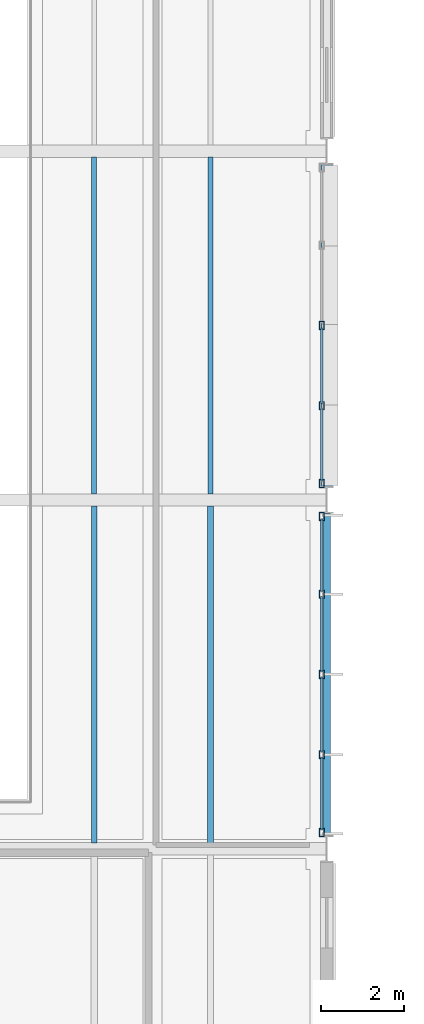
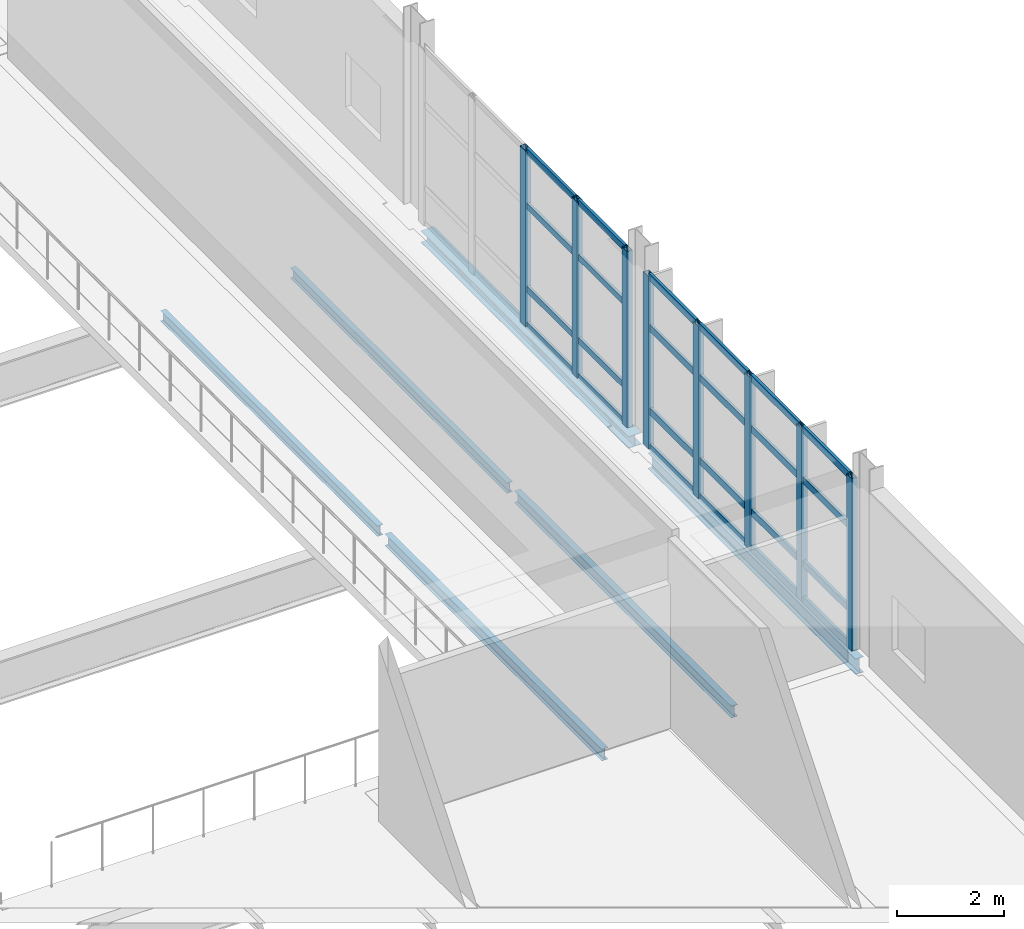
# One storey, part 35 of 129: 32 members, 6 beams, 2 elements without a shape of their own.
"""IFC4 building model written with IfcOpenShell, lengths in metres."""

from ifc_helpers import new_model, si_unit, direction, frame, origin, origin_2d, place, context, subcontext, project, spatial, hollow_rectangle, i_section, extrude, material, material_profile, profile_set, type_object, element, aggregate, save


model = new_model("IFC4")

# Units and contexts
model_context = context("Model", 3, precision=1e-05, world=origin(), true_north=direction((0.0, 1.0)))
body_context = subcontext(model_context, "Body", "Model", "MODEL_VIEW")
ifc_project = project(units=[si_unit("LENGTHUNIT", "METRE"), si_unit("AREAUNIT", "SQUARE_METRE"), si_unit("VOLUMEUNIT", "CUBIC_METRE"), si_unit("PLANEANGLEUNIT", "RADIAN"), si_unit("MASSUNIT", "GRAM", prefix="KILO")], contexts=[model_context])

# Site, building, storey
site_placement = place(None, origin())
site = spatial("IfcSite", under=ifc_project, at=site_placement, CompositionType="ELEMENT")
building_placement = place(site_placement, origin())
building = spatial("IfcBuilding", under=site, at=building_placement, Name="Mersafa Astral City Hall", CompositionType="ELEMENT")
storey_placement = place(building_placement, frame((0.0, 0.0, 5.39990234375)))
storey = spatial("IfcBuildingStorey", under=building, at=storey_placement, Name="L01", CompositionType="ELEMENT", Elevation=5.39990234375)

# Curtain wall, members
ifc_material_1 = material(Name="Anodised bronze aluminium framing", Category="aluminium")
curtain_wall_type_1 = type_object("IfcCurtainWallType", Name="ENV-CW-1", PredefinedType="USERDEFINED", material=ifc_material_1)
curtain_wall_1_placement = place(storey_placement, origin())
curtain_wall_1 = element("IfcCurtainWall", 1, at=curtain_wall_1_placement, inside=storey, type_object=curtain_wall_type_1, Name="L01 Unitised solar curtain wall 54", ObjectType="UNITISED CURTAIN WALL", PredefinedType="USERDEFINED")
ifc_material_profile_1 = material_profile(ifc_material_1, hollow_rectangle(XDim=0.1201171875, YDim=0.199951171875, WallThickness=0.008056640625, at=origin_2d()), Name="RHS 120x200x8")
ifc_profile_set_1 = profile_set([ifc_material_profile_1], Name="Anodised bronze aluminium framing")
member_type_1 = type_object("IfcMemberType", Name="ENV-CW-MUL-2", PredefinedType="MULLION", material=ifc_profile_set_1)
member_1_placement = place(storey_placement, frame((117.47998046875, 50.797119140625, -0.001953125), z_axis=(0.0, 0.0, 1.0), x_axis=(-1.0, 0.0, 0.0)))
member_1 = element("IfcMember", 2, at=member_1_placement, type_object=member_type_1, Name="CW-1 mullion 1", PredefinedType="MULLION", context=body_context, shape_type="SweptSolid", body=[
    extrude(hollow_rectangle(XDim=0.1201171875, YDim=0.199951171875, WallThickness=0.008056640625, at=origin_2d()), origin(), (0.0, 0.0, 1.0), 3.93896484375),
])
member_2_placement = place(storey_placement, frame((117.47998046875, 52.66845703125, -0.001953125), z_axis=(0.0, 0.0, 1.0), x_axis=(-1.0, 0.0, 0.0)))
member_2 = element("IfcMember", 3, at=member_2_placement, type_object=member_type_1, Name="CW-1 mullion 2", PredefinedType="MULLION", context=body_context, shape_type="SweptSolid", body=[
    extrude(hollow_rectangle(XDim=0.1201171875, YDim=0.199951171875, WallThickness=0.008056640625, at=origin_2d()), origin(), (0.0, 0.0, 1.0), 3.93896484375),
])
member_3_placement = place(storey_placement, frame((117.47998046875, 54.60009765625, -0.001953125), z_axis=(0.0, 0.0, 1.0), x_axis=(-1.0, 0.0, 0.0)))
member_3 = element("IfcMember", 4, at=member_3_placement, type_object=member_type_1, Name="CW-1 mullion 3", PredefinedType="MULLION", context=body_context, shape_type="SweptSolid", body=[
    extrude(hollow_rectangle(XDim=0.1201171875, YDim=0.199951171875, WallThickness=0.008056640625, at=origin_2d()), origin(), (0.0, 0.0, 1.0), 3.93896484375),
])
member_4_placement = place(storey_placement, frame((117.47998046875, 56.531494140625, -0.001953125), z_axis=(0.0, 0.0, 1.0), x_axis=(-1.0, 0.0, 0.0)))
member_4 = element("IfcMember", 5, at=member_4_placement, type_object=member_type_1, Name="CW-1 mullion 4", PredefinedType="MULLION", context=body_context, shape_type="SweptSolid", body=[
    extrude(hollow_rectangle(XDim=0.1201171875, YDim=0.199951171875, WallThickness=0.008056640625, at=origin_2d()), origin(), (0.0, 0.0, 1.0), 3.93896484375),
])
member_5_placement = place(storey_placement, frame((117.47998046875, 58.403076171875, -0.001953125), z_axis=(0.0, 0.0, 1.0), x_axis=(-1.0, 0.0, 0.0)))
member_5 = element("IfcMember", 6, at=member_5_placement, type_object=member_type_1, Name="CW-1 mullion 5", PredefinedType="MULLION", context=body_context, shape_type="SweptSolid", body=[
    extrude(hollow_rectangle(XDim=0.1201171875, YDim=0.199951171875, WallThickness=0.008056640625, at=origin_2d()), origin(), (0.0, 0.0, 1.0), 3.93896484375),
])

curtain_wall_type_2 = type_object("IfcCurtainWallType", Name="ENV-CW-2", PredefinedType="USERDEFINED", material=ifc_material_1)
curtain_wall_2_placement = place(storey_placement, origin())
curtain_wall_2 = element("IfcCurtainWall", 7, at=curtain_wall_2_placement, inside=storey, type_object=curtain_wall_type_2, Name="L01 Unitised solar curtain wall 55", ObjectType="UNITISED CURTAIN WALL", PredefinedType="USERDEFINED")
member_6_placement = place(storey_placement, frame((117.47998046875, 59.197021484375, -0.001953125), z_axis=(0.0, 0.0, 1.0), x_axis=(-1.0, 0.0, 0.0)))
member_6 = element("IfcMember", 8, at=member_6_placement, type_object=member_type_1, Name="CW-2 mullion 1", PredefinedType="MULLION", context=body_context, shape_type="SweptSolid", body=[
    extrude(hollow_rectangle(XDim=0.1201171875, YDim=0.199951171875, WallThickness=0.008056640625, at=origin_2d()), origin(), (0.0, 0.0, 1.0), 4.029052734375),
])
member_7_placement = place(storey_placement, frame((117.47998046875, 61.068603515625, -0.001953125), z_axis=(0.0, 0.0, 1.0), x_axis=(-1.0, 0.0, 0.0)))
member_7 = element("IfcMember", 9, at=member_7_placement, type_object=member_type_1, Name="CW-2 mullion 2", PredefinedType="MULLION", context=body_context, shape_type="SweptSolid", body=[
    extrude(hollow_rectangle(XDim=0.1201171875, YDim=0.199951171875, WallThickness=0.008056640625, at=origin_2d()), origin(), (0.0, 0.0, 1.0), 4.029052734375),
])
member_8_placement = place(storey_placement, frame((117.47998046875, 63.0, -0.001953125), z_axis=(0.0, 0.0, 1.0), x_axis=(-1.0, 0.0, 0.0)))
member_8 = element("IfcMember", 10, at=member_8_placement, type_object=member_type_1, Name="CW-2 mullion 3", PredefinedType="MULLION", context=body_context, shape_type="SweptSolid", body=[
    extrude(hollow_rectangle(XDim=0.1201171875, YDim=0.199951171875, WallThickness=0.008056640625, at=origin_2d()), origin(), (0.0, 0.0, 1.0), 4.029052734375),
])
ifc_material_profile_2 = material_profile(ifc_material_1, hollow_rectangle(XDim=0.06005859375, YDim=0.139892578125, WallThickness=0.00390625, at=origin_2d()), Name="RHS 60x140x4")
ifc_profile_set_2 = profile_set([ifc_material_profile_2], Name="Anodised bronze aluminium framing")
member_type_2 = type_object("IfcMemberType", Name="ENV-CW-TRN-1", PredefinedType="USERDEFINED", material=ifc_profile_set_2)
member_9_placement = place(storey_placement, frame((117.47998046875, 59.257080078125, 0.028076171875), z_axis=(0.0, 1.0, 0.0), x_axis=(-1.0, 0.0, 0.0)))
member_9 = element("IfcMember", 11, at=member_9_placement, type_object=member_type_2, Name="CW-2 transom 1.1", ObjectType="TRANSOM", PredefinedType="USERDEFINED", context=body_context, shape_type="SweptSolid", body=[
    extrude(hollow_rectangle(XDim=0.06005859375, YDim=0.139892578125, WallThickness=0.00390625, at=origin_2d()), origin(), (0.0, 0.0, 1.0), 1.75146484375),
])
member_10_placement = place(storey_placement, frame((117.47998046875, 59.257080078125, 0.85009765625), z_axis=(0.0, 1.0, 0.0), x_axis=(-1.0, 0.0, 0.0)))
member_10 = element("IfcMember", 12, at=member_10_placement, type_object=member_type_2, Name="CW-2 transom 1.2", ObjectType="TRANSOM", PredefinedType="USERDEFINED", context=body_context, shape_type="SweptSolid", body=[
    extrude(hollow_rectangle(XDim=0.06005859375, YDim=0.139892578125, WallThickness=0.00390625, at=origin_2d()), origin(), (0.0, 0.0, 1.0), 1.75146484375),
])
member_11_placement = place(storey_placement, frame((117.47998046875, 59.257080078125, 2.75), z_axis=(0.0, 1.0, 0.0), x_axis=(-1.0, 0.0, 0.0)))
member_11 = element("IfcMember", 13, at=member_11_placement, type_object=member_type_2, Name="CW-2 transom 1.3", ObjectType="TRANSOM", PredefinedType="USERDEFINED", context=body_context, shape_type="SweptSolid", body=[
    extrude(hollow_rectangle(XDim=0.06005859375, YDim=0.139892578125, WallThickness=0.00390625, at=origin_2d()), origin(), (0.0, 0.0, 1.0), 1.75146484375),
])
member_12_placement = place(storey_placement, frame((117.47998046875, 59.257080078125, 3.9970703125), z_axis=(0.0, 1.0, 0.0), x_axis=(-1.0, 0.0, 0.0)))
member_12 = element("IfcMember", 14, at=member_12_placement, type_object=member_type_2, Name="CW-2 transom 1.4", ObjectType="TRANSOM", PredefinedType="USERDEFINED", context=body_context, shape_type="SweptSolid", body=[
    extrude(hollow_rectangle(XDim=0.06005859375, YDim=0.139892578125, WallThickness=0.00390625, at=origin_2d()), origin(), (0.0, 0.0, 1.0), 1.75146484375),
])
member_13_placement = place(storey_placement, frame((117.47998046875, 61.12841796875, 0.028076171875), z_axis=(0.0, 1.0, 0.0), x_axis=(-1.0, 0.0, 0.0)))
member_13 = element("IfcMember", 15, at=member_13_placement, type_object=member_type_2, Name="CW-2 transom 2.1", ObjectType="TRANSOM", PredefinedType="USERDEFINED", context=body_context, shape_type="SweptSolid", body=[
    extrude(hollow_rectangle(XDim=0.06005859375, YDim=0.139892578125, WallThickness=0.00390625, at=origin_2d()), origin(), (0.0, 0.0, 1.0), 1.8115234375),
])
member_14_placement = place(storey_placement, frame((117.47998046875, 61.12841796875, 0.85009765625), z_axis=(0.0, 1.0, 0.0), x_axis=(-1.0, 0.0, 0.0)))
member_14 = element("IfcMember", 16, at=member_14_placement, type_object=member_type_2, Name="CW-2 transom 2.2", ObjectType="TRANSOM", PredefinedType="USERDEFINED", context=body_context, shape_type="SweptSolid", body=[
    extrude(hollow_rectangle(XDim=0.06005859375, YDim=0.139892578125, WallThickness=0.00390625, at=origin_2d()), origin(), (0.0, 0.0, 1.0), 1.8115234375),
])
member_15_placement = place(storey_placement, frame((117.47998046875, 61.12841796875, 2.75), z_axis=(0.0, 1.0, 0.0), x_axis=(-1.0, 0.0, 0.0)))
member_15 = element("IfcMember", 17, at=member_15_placement, type_object=member_type_2, Name="CW-2 transom 2.3", ObjectType="TRANSOM", PredefinedType="USERDEFINED", context=body_context, shape_type="SweptSolid", body=[
    extrude(hollow_rectangle(XDim=0.06005859375, YDim=0.139892578125, WallThickness=0.00390625, at=origin_2d()), origin(), (0.0, 0.0, 1.0), 1.8115234375),
])
member_16_placement = place(storey_placement, frame((117.47998046875, 61.12841796875, 3.9970703125), z_axis=(0.0, 1.0, 0.0), x_axis=(-1.0, 0.0, 0.0)))
member_16 = element("IfcMember", 18, at=member_16_placement, type_object=member_type_2, Name="CW-2 transom 2.4", ObjectType="TRANSOM", PredefinedType="USERDEFINED", context=body_context, shape_type="SweptSolid", body=[
    extrude(hollow_rectangle(XDim=0.06005859375, YDim=0.139892578125, WallThickness=0.00390625, at=origin_2d()), origin(), (0.0, 0.0, 1.0), 1.8115234375),
])
aggregate(curtain_wall_2, [member_6, member_7, member_8, member_9, member_10, member_11, member_12, member_13, member_14, member_15, member_16])

# Member
ifc_material_profile_3 = material_profile(ifc_material_1, hollow_rectangle(XDim=0.06005859375, YDim=0.159912109375, WallThickness=0.00390625, at=origin_2d()), Name="RHS 60x160x4")
ifc_profile_set_3 = profile_set([ifc_material_profile_3], Name="Anodised bronze aluminium framing")
member_type_3 = type_object("IfcMemberType", Name="ENV-CW-TRN-2", PredefinedType="USERDEFINED", material=ifc_profile_set_3)
member_17_placement = place(storey_placement, frame((117.47998046875, 50.85693359375, 0.028076171875), z_axis=(0.0, 1.0, 0.0), x_axis=(-1.0, 0.0, 0.0)))
member_17 = element("IfcMember", 19, at=member_17_placement, type_object=member_type_3, Name="CW-1 transom 1.1", ObjectType="TRANSOM", PredefinedType="USERDEFINED", context=body_context, shape_type="SweptSolid", body=[
    extrude(hollow_rectangle(XDim=0.06005859375, YDim=0.159912109375, WallThickness=0.00390625, at=origin_2d()), origin(), (0.0, 0.0, 1.0), 1.75146484375),
])

member_18_placement = place(storey_placement, frame((117.47998046875, 50.85693359375, 0.85009765625), z_axis=(0.0, 1.0, 0.0), x_axis=(-1.0, 0.0, 0.0)))
member_18 = element("IfcMember", 20, at=member_18_placement, type_object=member_type_3, Name="CW-1 transom 1.2", ObjectType="TRANSOM", PredefinedType="USERDEFINED", context=body_context, shape_type="SweptSolid", body=[
    extrude(hollow_rectangle(XDim=0.06005859375, YDim=0.159912109375, WallThickness=0.00390625, at=origin_2d()), origin(), (0.0, 0.0, 1.0), 1.75146484375),
])

member_19_placement = place(storey_placement, frame((117.47998046875, 50.85693359375, 2.75), z_axis=(0.0, 1.0, 0.0), x_axis=(-1.0, 0.0, 0.0)))
member_19 = element("IfcMember", 21, at=member_19_placement, type_object=member_type_3, Name="CW-1 transom 1.3", ObjectType="TRANSOM", PredefinedType="USERDEFINED", context=body_context, shape_type="SweptSolid", body=[
    extrude(hollow_rectangle(XDim=0.06005859375, YDim=0.159912109375, WallThickness=0.00390625, at=origin_2d()), origin(), (0.0, 0.0, 1.0), 1.75146484375),
])

member_20_placement = place(storey_placement, frame((117.47998046875, 50.85693359375, 3.906982421875), z_axis=(0.0, 1.0, 0.0), x_axis=(-1.0, 0.0, 0.0)))
member_20 = element("IfcMember", 22, at=member_20_placement, type_object=member_type_3, Name="CW-1 transom 1.4", ObjectType="TRANSOM", PredefinedType="USERDEFINED", context=body_context, shape_type="SweptSolid", body=[
    extrude(hollow_rectangle(XDim=0.06005859375, YDim=0.159912109375, WallThickness=0.00390625, at=origin_2d()), origin(), (0.0, 0.0, 1.0), 1.75146484375),
])

member_21_placement = place(storey_placement, frame((117.47998046875, 52.728515625, 0.028076171875), z_axis=(0.0, 1.0, 0.0), x_axis=(-1.0, 0.0, 0.0)))
member_21 = element("IfcMember", 23, at=member_21_placement, type_object=member_type_3, Name="CW-1 transom 2.1", ObjectType="TRANSOM", PredefinedType="USERDEFINED", context=body_context, shape_type="SweptSolid", body=[
    extrude(hollow_rectangle(XDim=0.06005859375, YDim=0.159912109375, WallThickness=0.00390625, at=origin_2d()), origin(), (0.0, 0.0, 1.0), 1.8115234375),
])

member_22_placement = place(storey_placement, frame((117.47998046875, 52.728515625, 0.85009765625), z_axis=(0.0, 1.0, 0.0), x_axis=(-1.0, 0.0, 0.0)))
member_22 = element("IfcMember", 24, at=member_22_placement, type_object=member_type_3, Name="CW-1 transom 2.2", ObjectType="TRANSOM", PredefinedType="USERDEFINED", context=body_context, shape_type="SweptSolid", body=[
    extrude(hollow_rectangle(XDim=0.06005859375, YDim=0.159912109375, WallThickness=0.00390625, at=origin_2d()), origin(), (0.0, 0.0, 1.0), 1.8115234375),
])

member_23_placement = place(storey_placement, frame((117.47998046875, 52.728515625, 2.75), z_axis=(0.0, 1.0, 0.0), x_axis=(-1.0, 0.0, 0.0)))
member_23 = element("IfcMember", 25, at=member_23_placement, type_object=member_type_3, Name="CW-1 transom 2.3", ObjectType="TRANSOM", PredefinedType="USERDEFINED", context=body_context, shape_type="SweptSolid", body=[
    extrude(hollow_rectangle(XDim=0.06005859375, YDim=0.159912109375, WallThickness=0.00390625, at=origin_2d()), origin(), (0.0, 0.0, 1.0), 1.8115234375),
])

member_24_placement = place(storey_placement, frame((117.47998046875, 52.728515625, 3.906982421875), z_axis=(0.0, 1.0, 0.0), x_axis=(-1.0, 0.0, 0.0)))
member_24 = element("IfcMember", 26, at=member_24_placement, type_object=member_type_3, Name="CW-1 transom 2.4", ObjectType="TRANSOM", PredefinedType="USERDEFINED", context=body_context, shape_type="SweptSolid", body=[
    extrude(hollow_rectangle(XDim=0.06005859375, YDim=0.159912109375, WallThickness=0.00390625, at=origin_2d()), origin(), (0.0, 0.0, 1.0), 1.8115234375),
])

member_25_placement = place(storey_placement, frame((117.47998046875, 54.659912109375, 0.028076171875), z_axis=(0.0, 1.0, 0.0), x_axis=(-1.0, 0.0, 0.0)))
member_25 = element("IfcMember", 27, at=member_25_placement, type_object=member_type_3, Name="CW-1 transom 3.1", ObjectType="TRANSOM", PredefinedType="USERDEFINED", context=body_context, shape_type="SweptSolid", body=[
    extrude(hollow_rectangle(XDim=0.06005859375, YDim=0.159912109375, WallThickness=0.00390625, at=origin_2d()), origin(), (0.0, 0.0, 1.0), 1.8115234375),
])

member_26_placement = place(storey_placement, frame((117.47998046875, 54.659912109375, 0.85009765625), z_axis=(0.0, 1.0, 0.0), x_axis=(-1.0, 0.0, 0.0)))
member_26 = element("IfcMember", 28, at=member_26_placement, type_object=member_type_3, Name="CW-1 transom 3.2", ObjectType="TRANSOM", PredefinedType="USERDEFINED", context=body_context, shape_type="SweptSolid", body=[
    extrude(hollow_rectangle(XDim=0.06005859375, YDim=0.159912109375, WallThickness=0.00390625, at=origin_2d()), origin(), (0.0, 0.0, 1.0), 1.8115234375),
])

member_27_placement = place(storey_placement, frame((117.47998046875, 54.659912109375, 2.75), z_axis=(0.0, 1.0, 0.0), x_axis=(-1.0, 0.0, 0.0)))
member_27 = element("IfcMember", 29, at=member_27_placement, type_object=member_type_3, Name="CW-1 transom 3.3", ObjectType="TRANSOM", PredefinedType="USERDEFINED", context=body_context, shape_type="SweptSolid", body=[
    extrude(hollow_rectangle(XDim=0.06005859375, YDim=0.159912109375, WallThickness=0.00390625, at=origin_2d()), origin(), (0.0, 0.0, 1.0), 1.8115234375),
])

member_28_placement = place(storey_placement, frame((117.47998046875, 54.659912109375, 3.906982421875), z_axis=(0.0, 1.0, 0.0), x_axis=(-1.0, 0.0, 0.0)))
member_28 = element("IfcMember", 30, at=member_28_placement, type_object=member_type_3, Name="CW-1 transom 3.4", ObjectType="TRANSOM", PredefinedType="USERDEFINED", context=body_context, shape_type="SweptSolid", body=[
    extrude(hollow_rectangle(XDim=0.06005859375, YDim=0.159912109375, WallThickness=0.00390625, at=origin_2d()), origin(), (0.0, 0.0, 1.0), 1.8115234375),
])

member_29_placement = place(storey_placement, frame((117.47998046875, 56.591552734375, 0.028076171875), z_axis=(0.0, 1.0, 0.0), x_axis=(-1.0, 0.0, 0.0)))
member_29 = element("IfcMember", 31, at=member_29_placement, type_object=member_type_3, Name="CW-1 transom 4.1", ObjectType="TRANSOM", PredefinedType="USERDEFINED", context=body_context, shape_type="SweptSolid", body=[
    extrude(hollow_rectangle(XDim=0.06005859375, YDim=0.159912109375, WallThickness=0.00390625, at=origin_2d()), origin(), (0.0, 0.0, 1.0), 1.75146484375),
])

member_30_placement = place(storey_placement, frame((117.47998046875, 56.591552734375, 0.85009765625), z_axis=(0.0, 1.0, 0.0), x_axis=(-1.0, 0.0, 0.0)))
member_30 = element("IfcMember", 32, at=member_30_placement, type_object=member_type_3, Name="CW-1 transom 4.2", ObjectType="TRANSOM", PredefinedType="USERDEFINED", context=body_context, shape_type="SweptSolid", body=[
    extrude(hollow_rectangle(XDim=0.06005859375, YDim=0.159912109375, WallThickness=0.00390625, at=origin_2d()), origin(), (0.0, 0.0, 1.0), 1.75146484375),
])

member_31_placement = place(storey_placement, frame((117.47998046875, 56.591552734375, 2.75), z_axis=(0.0, 1.0, 0.0), x_axis=(-1.0, 0.0, 0.0)))
member_31 = element("IfcMember", 33, at=member_31_placement, type_object=member_type_3, Name="CW-1 transom 4.3", ObjectType="TRANSOM", PredefinedType="USERDEFINED", context=body_context, shape_type="SweptSolid", body=[
    extrude(hollow_rectangle(XDim=0.06005859375, YDim=0.159912109375, WallThickness=0.00390625, at=origin_2d()), origin(), (0.0, 0.0, 1.0), 1.75146484375),
])

member_32_placement = place(storey_placement, frame((117.47998046875, 56.591552734375, 3.906982421875), z_axis=(0.0, 1.0, 0.0), x_axis=(-1.0, 0.0, 0.0)))
member_32 = element("IfcMember", 34, at=member_32_placement, type_object=member_type_3, Name="CW-1 transom 4.4", ObjectType="TRANSOM", PredefinedType="USERDEFINED", context=body_context, shape_type="SweptSolid", body=[
    extrude(hollow_rectangle(XDim=0.06005859375, YDim=0.159912109375, WallThickness=0.00390625, at=origin_2d()), origin(), (0.0, 0.0, 1.0), 1.75146484375),
])

aggregate(curtain_wall_1, [member_1, member_2, member_3, member_4, member_5, member_17, member_18, member_19, member_20, member_21, member_22, member_23, member_24, member_25, member_26, member_27, member_28, member_29, member_30, member_31, member_32])

# Beams
ifc_material_2 = material(Name="Steel S355", Category="steel")
ifc_material_profile_4 = material_profile(ifc_material_2, i_section(OverallWidth=0.1201171875, OverallDepth=0.239990234375, WebThickness=0.006103515625, FlangeThickness=0.009765625, FilletRadius=0.014892578125, at=origin_2d()), Name="IPE 240")
ifc_profile_set_4 = profile_set([ifc_material_profile_4], Name="Steel S355")
beam_type_1 = type_object("IfcBeamType", Name="STR-BM-JOIST-IPE240", PredefinedType="JOIST", material=ifc_profile_set_4)
for number, where, z_axis, x_axis, name in (
    (35, (112.0, 58.945068359375, -0.344970703125), (0.0, 1.0, 0.0), (-1.0, 0.0, 0.0), "L01 Composite secondary floor joist 316"),
    (36, (114.800048828125, 58.945068359375, -0.344970703125), (0.0, 1.0, 0.0), (-1.0, 0.0, 0.0), "L01 Composite secondary floor joist 317"),
):
    element("IfcBeam", number, at=place(storey_placement, frame(where, z_axis=z_axis, x_axis=x_axis)), inside=storey, type_object=beam_type_1, Name=name, PredefinedType="JOIST", context=body_context, shape_type="SweptSolid", body=[
        extrude(i_section(OverallWidth=0.1201171875, OverallDepth=0.239990234375, WebThickness=0.006103515625, FlangeThickness=0.009765625, FilletRadius=0.014892578125, at=origin_2d()), origin(), (0.0, 0.0, 1.0), 8.10986328125),
    ])
ifc_material_profile_5 = material_profile(ifc_material_2, i_section(OverallWidth=0.135009765625, OverallDepth=0.27001953125, WebThickness=0.006591796875, FlangeThickness=0.01025390625, FilletRadius=0.014892578125, at=origin_2d()), Name="IPE 270")
ifc_profile_set_5 = profile_set([ifc_material_profile_5], Name="Steel S355")
beam_type_2 = type_object("IfcBeamType", Name="STR-BM-JOIST-IPE270", PredefinedType="JOIST", material=ifc_profile_set_5)
for number, where, z_axis, x_axis, name in (
    (37, (112.0, 50.544921875, -0.35986328125), (0.0, 1.0, 0.0), (-1.0, 0.0, 0.0), "L01 Composite secondary floor joist 314"),
    (38, (114.800048828125, 50.544921875, -0.35986328125), (0.0, 1.0, 0.0), (-1.0, 0.0, 0.0), "L01 Composite secondary floor joist 315"),
):
    element("IfcBeam", number, at=place(storey_placement, frame(where, z_axis=z_axis, x_axis=x_axis)), inside=storey, type_object=beam_type_2, Name=name, PredefinedType="JOIST", context=body_context, shape_type="SweptSolid", body=[
        extrude(i_section(OverallWidth=0.135009765625, OverallDepth=0.27001953125, WebThickness=0.006591796875, FlangeThickness=0.01025390625, FilletRadius=0.014892578125, at=origin_2d()), origin(), (0.0, 0.0, 1.0), 8.110107421875),
    ])
ifc_material_profile_6 = material_profile(ifc_material_2, i_section(OverallWidth=0.280029296875, OverallDepth=0.27001953125, WebThickness=0.008056640625, FlangeThickness=0.012939453125, FilletRadius=0.02392578125, at=origin_2d()), Name="HEA 280")
ifc_profile_set_6 = profile_set([ifc_material_profile_6], Name="Steel S355")
beam_type_3 = type_object("IfcBeamType", Name="STR-BM-SPANDREL-HEA280", PredefinedType="SPANDREL", material=ifc_profile_set_6)
beam_1_placement = place(storey_placement, frame((117.60009765625, 59.1201171875, -0.35986328125), z_axis=(0.0, 1.0, 0.0), x_axis=(-1.0, 0.0, 0.0)))
element("IfcBeam", 39, at=beam_1_placement, inside=storey, type_object=beam_type_3, Name="L01 Primary girder Y 14-7", PredefinedType="SPANDREL", context=body_context, shape_type="SweptSolid", body=[
    extrude(i_section(OverallWidth=0.280029296875, OverallDepth=0.27001953125, WebThickness=0.008056640625, FlangeThickness=0.012939453125, FilletRadius=0.02392578125, at=origin_2d()), origin(), (0.0, 0.0, 1.0), 7.759765625),
])
ifc_material_profile_7 = material_profile(ifc_material_2, i_section(OverallWidth=0.169921875, OverallDepth=0.360107421875, WebThickness=0.008056640625, FlangeThickness=0.0126953125, FilletRadius=0.01806640625, at=origin_2d()), Name="IPE 360")
ifc_profile_set_7 = profile_set([ifc_material_profile_7], Name="Steel S355")
beam_type_4 = type_object("IfcBeamType", Name="STR-BM-SPANDREL-IPE360", PredefinedType="SPANDREL", material=ifc_profile_set_7)
beam_2_placement = place(storey_placement, frame((117.60009765625, 50.719970703125, -0.40478515625), z_axis=(0.0, 1.0, 0.0), x_axis=(-1.0, 0.0, 0.0)))
element("IfcBeam", 40, at=beam_2_placement, inside=storey, type_object=beam_type_4, Name="L01 Primary girder Y 14-6", PredefinedType="SPANDREL", context=body_context, shape_type="SweptSolid", body=[
    extrude(i_section(OverallWidth=0.169921875, OverallDepth=0.360107421875, WebThickness=0.008056640625, FlangeThickness=0.0126953125, FilletRadius=0.01806640625, at=origin_2d()), origin(), (0.0, 0.0, 1.0), 7.760009765625),
])

save(model, "model.ifc")
